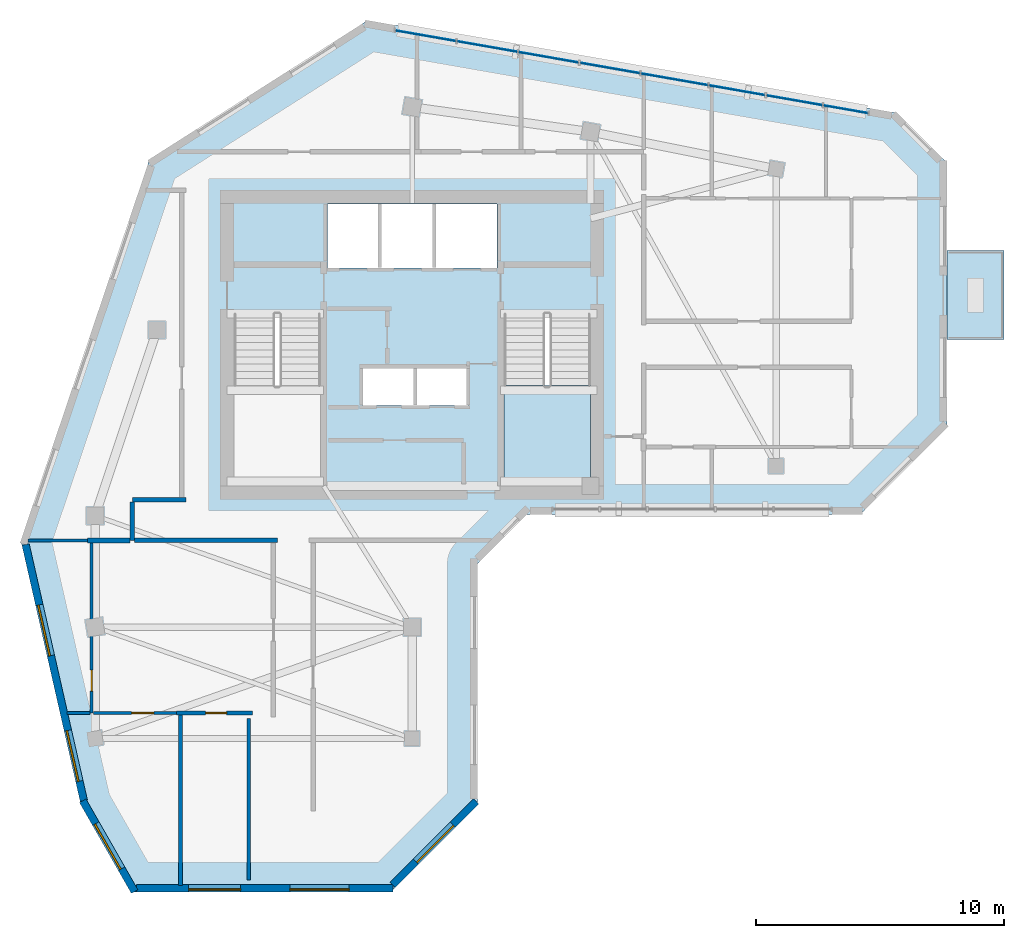
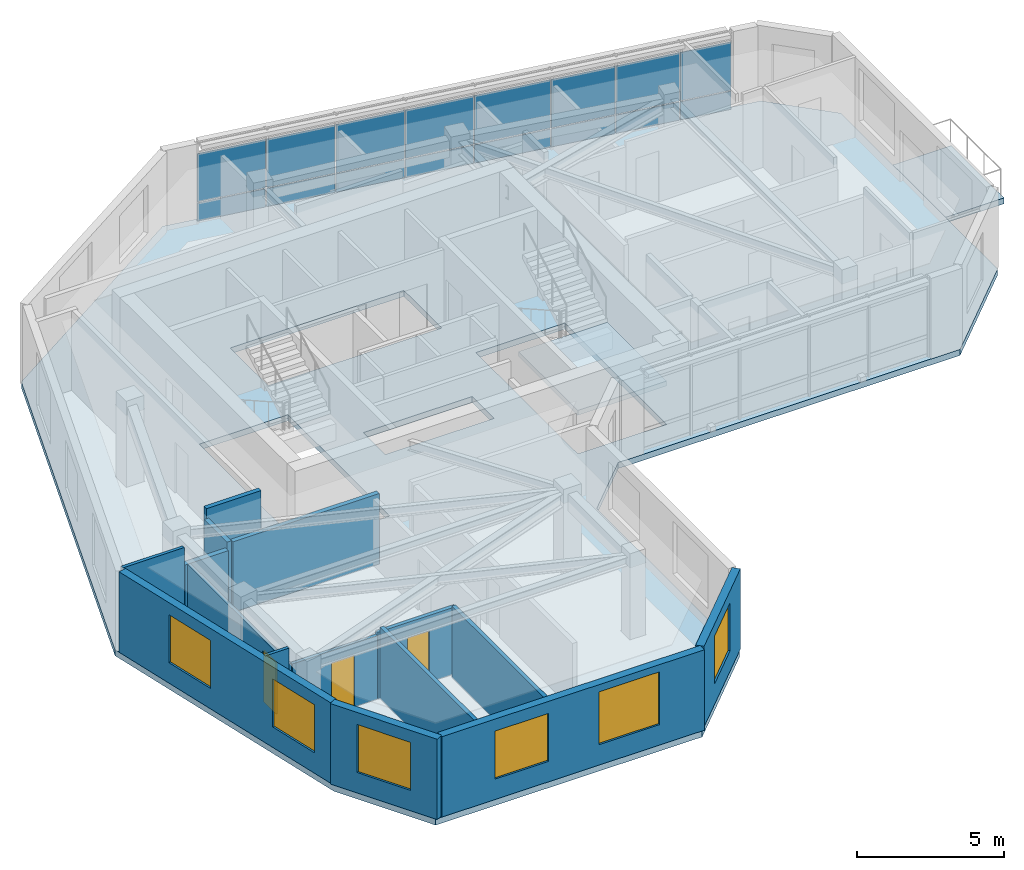
# One storey, part 3 of 9: 16 plates, 15 walls, 6 windows, 3 doors, 3 slabs, 9 openings, 2 elements without a shape of their own.
"""IFC4 building model written with IfcOpenShell, lengths in metres."""

from ifc_helpers import new_model, si_unit, direction, frame, frame_2d, origin, place, context, subcontext, project, spatial, polyline, rectangle, outline, extrude, source, transform, mapped, material, layer, layer_set, type_object, element, fill, aggregate, save


model = new_model("IFC4")

# Units and contexts
model_context = context("Model", 3, precision=1e-05, world=origin(), true_north=direction((0.0, 1.0)))
body_context = subcontext(model_context, "Body", "Model", "MODEL_VIEW")
ifc_project = project(units=[si_unit("LENGTHUNIT", "METRE"), si_unit("AREAUNIT", "SQUARE_METRE"), si_unit("VOLUMEUNIT", "CUBIC_METRE"), si_unit("PLANEANGLEUNIT", "RADIAN"), si_unit("MASSUNIT", "GRAM", prefix="KILO")], contexts=[model_context])

# Site, building, storey
site_placement = place(None, origin())
site = spatial("IfcSite", under=ifc_project, at=site_placement, CompositionType="ELEMENT")
building_placement = place(site_placement, origin())
building = spatial("IfcBuilding", under=site, at=building_placement, Name="Calvemar Wedge Station Tower", CompositionType="ELEMENT")
storey_placement = place(building_placement, frame((0.0, 0.0, 260.10009765625)))
storey = spatial("IfcBuildingStorey", under=building, at=storey_placement, Name="L66", CompositionType="ELEMENT", Elevation=260.10009765625)

# Curtain wall, plates
ifc_material_1 = material(Name="Anodised aluminium 6063-T6", Category="aluminium")
curtain_wall_type = type_object("IfcCurtainWallType", Name="CW4", PredefinedType="NOTDEFINED", material=ifc_material_1)
curtain_wall_placement = place(storey_placement, origin())
curtain_wall = element("IfcCurtainWall", 1, at=curtain_wall_placement, inside=storey, type_object=curtain_wall_type, Name="Storey L66 CW4 Recessed Unitised Curtain Wall 10", PredefinedType="NOTDEFINED")
ifc_material_2 = material(Name="Low-E laminated insulated glass", Category="glass")
ifc_layer_1 = layer(ifc_material_2, 0.028076171875)
ifc_layer_set_1 = layer_set([ifc_layer_1], Name="Low-E laminated insulated glass")
plate_type_1 = type_object("IfcPlateType", Name="CW4-GLZ", PredefinedType="CURTAIN_PANEL", material=ifc_layer_set_1)
plate_1_placement = place(storey_placement, frame((42.2158203125, 49.25, 0.869873046875), z_axis=(0.0, 0.0, 1.0), x_axis=(-0.985032723661, 0.172367436939, 0.0)))
plate_1 = element("IfcPlate", 2, at=plate_1_placement, type_object=plate_type_1, Name="CW4 vision glass panel 1", PredefinedType="CURTAIN_PANEL", context=body_context, shape_type="SweptSolid", body=[
    extrude(rectangle(XDim=1.837158203125, YDim=0.028076171875, at=frame_2d((0.91845703125, 0.0))), origin(), (0.0, 0.0, 1.0), 2.010009765625),
])
plate_2_placement = place(storey_placement, frame((40.370849609375, 49.57275390625, 0.869873046875), z_axis=(0.0, 0.0, 1.0), x_axis=(-0.985034958197, 0.172354666692, 0.0)))
plate_2 = element("IfcPlate", 3, at=plate_2_placement, type_object=plate_type_1, Name="CW4 vision glass panel 2", PredefinedType="CURTAIN_PANEL", context=body_context, shape_type="SweptSolid", body=[
    extrude(rectangle(XDim=2.307373046875, YDim=0.028076171875, at=frame_2d((1.15380859375, 0.0))), origin(), (0.0, 0.0, 1.0), 2.010009765625),
])
plate_3_placement = place(storey_placement, frame((38.0625, 49.976806640625, 0.869873046875), z_axis=(0.0, 0.0, 1.0), x_axis=(-0.985056054932, 0.17223405192, 0.0)))
plate_3 = element("IfcPlate", 4, at=plate_3_placement, type_object=plate_type_1, Name="CW4 vision glass panel 3", PredefinedType="CURTAIN_PANEL", context=body_context, shape_type="SweptSolid", body=[
    extrude(rectangle(XDim=2.3076171875, YDim=0.028076171875, at=frame_2d((1.15380859375, 0.0))), origin(), (0.0, 0.0, 1.0), 2.010009765625),
])
plate_4_placement = place(storey_placement, frame((35.75390625, 50.380615234375, 0.869873046875), z_axis=(0.0, 0.0, 1.0), x_axis=(-0.985042874859, 0.172309415559, 0.0)))
plate_4 = element("IfcPlate", 5, at=plate_4_placement, type_object=plate_type_1, Name="CW4 vision glass panel 4", PredefinedType="CURTAIN_PANEL", context=body_context, shape_type="SweptSolid", body=[
    extrude(rectangle(XDim=2.755859375, YDim=0.028076171875, at=frame_2d((1.3779296875, 0.0))), origin(), (0.0, 0.0, 1.0), 2.010009765625),
])
plate_5_placement = place(storey_placement, frame((33.00390625, 50.861572265625, 0.869873046875), z_axis=(0.0, 0.0, 1.0), x_axis=(-0.985043436117, 0.172306206978, 0.0)))
plate_5 = element("IfcPlate", 6, at=plate_5_placement, type_object=plate_type_1, Name="CW4 vision glass panel 5", PredefinedType="CURTAIN_PANEL", context=body_context, shape_type="SweptSolid", body=[
    extrude(rectangle(XDim=2.476806640625, YDim=0.028076171875, at=frame_2d((1.23828125, 0.0))), origin(), (0.0, 0.0, 1.0), 2.010009765625),
])
plate_6_placement = place(storey_placement, frame((30.52880859375, 51.294677734375, 0.869873046875), z_axis=(0.0, 0.0, 1.0), x_axis=(-0.985040509104, 0.172322939343, 0.0)))
plate_6 = element("IfcPlate", 7, at=plate_6_placement, type_object=plate_type_1, Name="CW4 vision glass panel 6", PredefinedType="CURTAIN_PANEL", context=body_context, shape_type="SweptSolid", body=[
    extrude(rectangle(XDim=2.4765625, YDim=0.028076171875, at=frame_2d((1.23828125, 0.0))), origin(), (0.0, 0.0, 1.0), 2.010009765625),
])
plate_7_placement = place(storey_placement, frame((28.053955078125, 51.7275390625, 0.869873046875), z_axis=(0.0, 0.0, 1.0), x_axis=(-0.985028799202, 0.172389862645, 0.0)))
plate_7 = element("IfcPlate", 8, at=plate_7_placement, type_object=plate_type_1, Name="CW4 vision glass panel 7", PredefinedType="CURTAIN_PANEL", context=body_context, shape_type="SweptSolid", body=[
    extrude(rectangle(XDim=2.4853515625, YDim=0.028076171875, at=frame_2d((1.24267578125, 0.0))), origin(), (0.0, 0.0, 1.0), 2.010009765625),
])
plate_8_placement = place(storey_placement, frame((25.5703125, 52.162109375, 0.869873046875), z_axis=(0.0, 0.0, 1.0), x_axis=(-0.985039641183, 0.172327900522, 0.0)))
plate_8 = element("IfcPlate", 9, at=plate_8_placement, type_object=plate_type_1, Name="CW4 vision glass panel 8", PredefinedType="CURTAIN_PANEL", context=body_context, shape_type="SweptSolid", body=[
    extrude(rectangle(XDim=2.48486328125, YDim=0.028076171875, at=frame_2d((1.242431640625, 0.0))), origin(), (0.0, 0.0, 1.0), 2.010009765625),
])
ifc_material_3 = material(Name="Oxidized bronze aluminium spandrel panel 5005-H24", Category="aluminium")
ifc_layer_2 = layer(ifc_material_3, 0.0400390625)
ifc_layer_set_2 = layer_set([ifc_layer_2], Name="Oxidized bronze aluminium spandrel panel 5005-H24")
plate_type_2 = type_object("IfcPlateType", Name="CW4-SPD", PredefinedType="SHEET", material=ifc_layer_set_2)
plate_9_placement = place(storey_placement, frame((42.2158203125, 49.25, 0.079833984375), z_axis=(0.0, 0.0, 1.0), x_axis=(-0.985032723661, 0.172367436939, 0.0)))
plate_9 = element("IfcPlate", 10, at=plate_9_placement, type_object=plate_type_2, Name="CW4 bronze spandrel panel 1", PredefinedType="SHEET", context=body_context, shape_type="SweptSolid", body=[
    extrude(rectangle(XDim=1.837158203125, YDim=0.0400390625, at=frame_2d((0.91845703125, 0.0))), origin(), (0.0, 0.0, 1.0), 0.75),
])
plate_10_placement = place(storey_placement, frame((40.370849609375, 49.57275390625, 0.079833984375), z_axis=(0.0, 0.0, 1.0), x_axis=(-0.985034958197, 0.172354666692, 0.0)))
plate_10 = element("IfcPlate", 11, at=plate_10_placement, type_object=plate_type_2, Name="CW4 bronze spandrel panel 2", PredefinedType="SHEET", context=body_context, shape_type="SweptSolid", body=[
    extrude(rectangle(XDim=2.307373046875, YDim=0.0400390625, at=frame_2d((1.15380859375, 0.0))), origin(), (0.0, 0.0, 1.0), 0.75),
])
plate_11_placement = place(storey_placement, frame((38.0625, 49.976806640625, 0.079833984375), z_axis=(0.0, 0.0, 1.0), x_axis=(-0.985056054932, 0.17223405192, 0.0)))
plate_11 = element("IfcPlate", 12, at=plate_11_placement, type_object=plate_type_2, Name="CW4 bronze spandrel panel 3", PredefinedType="SHEET", context=body_context, shape_type="SweptSolid", body=[
    extrude(rectangle(XDim=2.3076171875, YDim=0.0400390625, at=frame_2d((1.15380859375, 0.0))), origin(), (0.0, 0.0, 1.0), 0.75),
])
plate_12_placement = place(storey_placement, frame((35.75390625, 50.380615234375, 0.079833984375), z_axis=(0.0, 0.0, 1.0), x_axis=(-0.985042874859, 0.172309415559, 0.0)))
plate_12 = element("IfcPlate", 13, at=plate_12_placement, type_object=plate_type_2, Name="CW4 bronze spandrel panel 4", PredefinedType="SHEET", context=body_context, shape_type="SweptSolid", body=[
    extrude(rectangle(XDim=2.755859375, YDim=0.0400390625, at=frame_2d((1.3779296875, 0.0))), origin(), (0.0, 0.0, 1.0), 0.75),
])
plate_13_placement = place(storey_placement, frame((33.00390625, 50.861572265625, 0.079833984375), z_axis=(0.0, 0.0, 1.0), x_axis=(-0.985043436117, 0.172306206978, 0.0)))
plate_13 = element("IfcPlate", 14, at=plate_13_placement, type_object=plate_type_2, Name="CW4 bronze spandrel panel 5", PredefinedType="SHEET", context=body_context, shape_type="SweptSolid", body=[
    extrude(rectangle(XDim=2.476806640625, YDim=0.0400390625, at=frame_2d((1.23828125, 0.0))), origin(), (0.0, 0.0, 1.0), 0.75),
])
plate_14_placement = place(storey_placement, frame((30.52880859375, 51.294677734375, 0.079833984375), z_axis=(0.0, 0.0, 1.0), x_axis=(-0.985040509104, 0.172322939343, 0.0)))
plate_14 = element("IfcPlate", 15, at=plate_14_placement, type_object=plate_type_2, Name="CW4 bronze spandrel panel 6", PredefinedType="SHEET", context=body_context, shape_type="SweptSolid", body=[
    extrude(rectangle(XDim=2.4765625, YDim=0.0400390625, at=frame_2d((1.23828125, 0.0))), origin(), (0.0, 0.0, 1.0), 0.75),
])
plate_15_placement = place(storey_placement, frame((28.053955078125, 51.7275390625, 0.079833984375), z_axis=(0.0, 0.0, 1.0), x_axis=(-0.985028799202, 0.172389862645, 0.0)))
plate_15 = element("IfcPlate", 16, at=plate_15_placement, type_object=plate_type_2, Name="CW4 bronze spandrel panel 7", PredefinedType="SHEET", context=body_context, shape_type="SweptSolid", body=[
    extrude(rectangle(XDim=2.4853515625, YDim=0.0400390625, at=frame_2d((1.24267578125, 0.0))), origin(), (0.0, 0.0, 1.0), 0.75),
])
plate_16_placement = place(storey_placement, frame((25.5703125, 52.162109375, 0.079833984375), z_axis=(0.0, 0.0, 1.0), x_axis=(-0.985039641183, 0.172327900522, 0.0)))
plate_16 = element("IfcPlate", 17, at=plate_16_placement, type_object=plate_type_2, Name="CW4 bronze spandrel panel 8", PredefinedType="SHEET", context=body_context, shape_type="SweptSolid", body=[
    extrude(rectangle(XDim=2.48486328125, YDim=0.0400390625, at=frame_2d((1.242431640625, 0.0))), origin(), (0.0, 0.0, 1.0), 0.75),
])
aggregate(curtain_wall, [plate_9, plate_1, plate_10, plate_2, plate_11, plate_3, plate_12, plate_4, plate_13, plate_5, plate_14, plate_6, plate_15, plate_7, plate_16, plate_8])

# Stair, slab
ifc_material_4 = material(Name="Concrete C45", Category="concrete")
stair_type = type_object("IfcStairType", Name="ST-TYPE-3600", PredefinedType="HALF_TURN_STAIR", material=ifc_material_4)
stair_placement = place(storey_placement, origin())
stair = element("IfcStair", 18, at=stair_placement, inside=storey, type_object=stair_type, Name="L66 Pressurized Core Exit Stair ST-C2", PredefinedType="HALF_TURN_STAIR")
ifc_layer_3 = layer(ifc_material_4, 0.199951171875)
ifc_layer_set_3 = layer_set([ifc_layer_3], Name="Concrete C45")
slab_type_1 = type_object("IfcSlabType", Name="SL-STAIR-LND-200", PredefinedType="LANDING", material=ifc_layer_set_3)
slab_1_placement = place(storey_placement, frame((0.0, 0.0, 1.599853515625)))
slab_1 = element("IfcSlab", 19, at=slab_1_placement, type_object=slab_type_1, Name="ST-C2 landing 1", PredefinedType="LANDING", context=body_context, shape_type="SweptSolid", body=[
    extrude(outline(polyline([(27.5, 38.25), (27.5, 34.199951171875), (31.0, 34.199951171875), (31.0, 38.25), (27.5, 38.25)])), origin(), (0.0, 0.0, 1.0), 0.199951171875),
])
aggregate(stair, [slab_1])

# Slabs
ifc_layer_4 = layer(ifc_material_4, 0.239990234375)
ifc_layer_set_4 = layer_set([ifc_layer_4], Name="Concrete C45")
slab_type_2 = type_object("IfcSlabType", Name="SL-TERR-240", PredefinedType="FLOOR", material=ifc_layer_set_4)
slab_2_placement = place(storey_placement, frame((0.0, 0.0, -0.239990234375)))
element("IfcSlab", 20, at=slab_2_placement, inside=storey, type_object=slab_type_2, Name="Storey L66 Planted Spiral Terrace Slab", PredefinedType="FLOOR", context=body_context, shape_type="SweptSolid", body=[
    extrude(outline(polyline([(45.39990234375, 40.10595703125), (47.699951171875, 40.10595703125), (47.699951171875, 43.7060546875), (45.39990234375, 43.7060546875), (45.39990234375, 40.10595703125)])), origin(), (0.0, 0.0, 1.0), 0.239990234375),
])
ifc_material_5 = material(Name="Concrete C50", Category="concrete")
ifc_layer_5 = layer(ifc_material_5, 0.25)
ifc_layer_set_5 = layer_set([ifc_layer_5], Name="Concrete C50")
slab_type_3 = type_object("IfcSlabType", Name="SL-TYP-250", PredefinedType="FLOOR", material=ifc_layer_set_5)
slab_3_placement = place(storey_placement, frame((0.0, 0.0, -0.25)))
element("IfcSlab", 21, at=slab_3_placement, inside=storey, type_object=slab_type_3, Name="Storey L66 Structural Floor Slab", PredefinedType="FLOOR", context=body_context, shape_type="SweptSolid", body=[
    extrude(outline(polyline([(8.0, 32.0), (10.431884765625, 21.300048828125), (12.431884765625, 17.800048828125), (22.931884765625, 17.800048828125), (26.431884765625, 21.300048828125), (26.431884765625, 31.055908203125), (28.431884765625, 33.055908203125), (41.89990234375, 33.055908203125), (45.39990234375, 36.555908203125), (45.39990234375, 47.256103515625), (43.39990234375, 49.256103515625), (22.0, 53.0), (13.199951171875, 47.39990234375), (8.0, 32.0)]), holes=[polyline([(20.10009765625, 34.199951171875), (20.10009765625, 41.14990234375), (16.60009765625, 41.14990234375), (16.60009765625, 34.199951171875), (20.10009765625, 34.199951171875)]), polyline([(31.0, 34.199951171875), (31.0, 41.14990234375), (27.5, 41.14990234375), (27.5, 34.199951171875), (31.0, 34.199951171875)]), polyline([(23.929931640625, 38.949951171875), (21.7900390625, 38.949951171875), (21.7900390625, 37.449951171875), (23.929931640625, 37.449951171875), (23.93994140625, 37.449951171875), (26.080078125, 37.449951171875), (26.080078125, 38.949951171875), (23.93994140625, 38.949951171875), (23.929931640625, 38.949951171875)]), polyline([(27.219970703125, 43.0), (27.219970703125, 45.580078125), (20.3798828125, 45.580078125), (20.3798828125, 43.0), (27.219970703125, 43.0)])]), origin(), (0.0, 0.0, 1.0), 0.25),
])

# Walls
ifc_material_6 = material(Name="Double-stud fire-rated corridor partition")
ifc_layer_6 = layer(ifc_material_6, 0.179931640625)
ifc_layer_set_6 = layer_set([ifc_layer_6], Name="Double-stud fire-rated corridor partition")
wall_type_1 = type_object("IfcWallType", Name="W-CORR-180", PredefinedType="PARTITIONING", material=ifc_layer_set_6)
wall_1_placement = place(storey_placement, frame((12.5, 33.64990234375, 0.0), z_axis=(0.0, 0.0, 1.0), x_axis=(1.0, 0.0, 0.0)))
element("IfcWall", 22, at=wall_1_placement, inside=storey, type_object=wall_type_1, Name="Storey L66 Interior Partition WL-L66-007", PredefinedType="PARTITIONING", context=body_context, shape_type="SweptSolid", body=[
    extrude(rectangle(XDim=2.159912109375, YDim=0.179931640625, at=frame_2d((1.080078125, 0.0))), origin(), (0.0, 0.0, 1.0), 3.349853515625),
])
wall_2_placement = place(storey_placement, frame((12.5, 32.0, 0.0), z_axis=(0.0, 0.0, 1.0), x_axis=(0.0, 1.0, 0.0)))
element("IfcWall", 23, at=wall_2_placement, inside=storey, type_object=wall_type_1, Name="Storey L66 Interior Partition WL-L66-008", PredefinedType="PARTITIONING", context=body_context, shape_type="SweptSolid", body=[
    extrude(rectangle(XDim=1.555908203125, YDim=0.179931640625, at=frame_2d((0.77783203125, 0.0))), origin(), (0.0, 0.0, 1.0), 2.934814453125),
])
wall_3_placement = place(storey_placement, frame((18.360107421875, 32.0, 0.0), z_axis=(0.0, 0.0, 1.0), x_axis=(-1.0, 0.0, 0.0)))
element("IfcWall", 24, at=wall_3_placement, inside=storey, type_object=wall_type_1, Name="Storey L66 Interior Partition WL-L66-010", PredefinedType="PARTITIONING", context=body_context, shape_type="SweptSolid", body=[
    extrude(rectangle(XDim=5.76611328125, YDim=0.179931640625, at=frame_2d((2.883056640625, 0.0))), origin(), (0.0, 0.0, 1.0), 2.934814453125),
])
ifc_material_7 = material(Name="Twin-stud fire-rated inter-tenancy wall")
ifc_layer_7 = layer(ifc_material_7, 0.199951171875)
ifc_layer_set_7 = layer_set([ifc_layer_7], Name="Twin-stud fire-rated inter-tenancy wall")
wall_type_2 = type_object("IfcWallType", Name="W-DEMISE-200", PredefinedType="PARTITIONING", material=ifc_layer_set_7)
wall_4_placement = place(storey_placement, frame((12.406005859375, 32.0, 0.0), z_axis=(0.0, 0.0, 1.0), x_axis=(-1.0, 0.0, 0.0)))
element("IfcWall", 25, at=wall_4_placement, inside=storey, type_object=wall_type_2, Name="Storey L66 Interior Partition WL-L66-021", PredefinedType="PARTITIONING", context=body_context, shape_type="SweptSolid", body=[
    extrude(rectangle(XDim=1.7080078125, YDim=0.199951171875, at=frame_2d((0.85400390625, 0.0))), origin(), (0.0, 0.0, 1.0), 2.641845703125),
])

# Wall, opening, window
ifc_material_8 = material(Name="Precast concrete C45", Category="concrete")
ifc_layer_8 = layer(ifc_material_8, 0.300048828125)
ifc_layer_set_8 = layer_set([ifc_layer_8], Name="Precast concrete C45")
wall_type_3 = type_object("IfcWallType", Name="W-EXT-GFRC-300", PredefinedType="SOLIDWALL", material=ifc_layer_set_8)
wall_5_placement = place(storey_placement, frame((10.498779296875, 21.4853515625, 0.0), z_axis=(0.0, 0.0, 1.0), x_axis=(0.496163848656, -0.868228907194, 0.0)))
wall_5 = element("IfcWall", 26, at=wall_5_placement, inside=storey, type_object=wall_type_3, Name="Storey L66 Bronze GFRC Exterior Wall 1", PredefinedType="SOLIDWALL", context=body_context, shape_type="SweptSolid", body=[
    extrude(rectangle(XDim=4.221923828125, YDim=0.300048828125, at=frame_2d((2.11083984375, 0.0))), origin(), (0.0, 0.0, 1.0), 3.349853515625),
])
shared_shape_1 = source(origin(), body_context, "Body", "SweptSolid", [
    extrude(rectangle(XDim=2.10009765625, YDim=2.0, at=frame_2d((1.050048828125, 1.0))), frame((0.0, 0.16015625, 0.0), z_axis=(0.0, -1.0, 0.0), x_axis=(1.0, 0.0, 0.0)), (0.0, 0.0, 1.0), 0.320068359375),
])
opening_1_placement = place(wall_5_placement, frame((1.06103515625, 0.0, 0.85009765625)))
opening_1 = element("IfcOpeningElement", 27, at=opening_1_placement, cuts=wall_5, Name="Opening W4", PredefinedType="OPENING", context=body_context, shape_type="MappedRepresentation", body=[
    mapped(shared_shape_1, transform((0.0, 0.0, 0.0), scale=1.0)),
])
window_type_1 = type_object("IfcWindowType", Name="WIN-EXT-4", PartitioningType="SINGLE_PANEL", PredefinedType="WINDOW", material=ifc_material_2)
shared_shape_2 = source(origin(), body_context, "Body", "SweptSolid", [
    extrude(rectangle(XDim=2.10009765625, YDim=2.0, at=frame_2d((1.050048828125, 1.0))), frame((0.0, -0.014892578125, 0.0), z_axis=(0.0, -1.0, 0.0), x_axis=(1.0, 0.0, 0.0)), (0.0, 0.0, 1.0), 0.06005859375),
])
window_1_placement = place(opening_1_placement, origin())
window_1 = element("IfcWindow", 28, at=window_1_placement, inside=storey, type_object=window_type_1, Name="Storey L66 Recessed Window 1.1", OverallHeight=2.0, OverallWidth=2.10009765625, PartitioningType="SINGLE_PANEL", PredefinedType="WINDOW", context=body_context, shape_type="MappedRepresentation", body=[
    mapped(shared_shape_2, transform((0.0, 0.0, 0.0), scale=1.0)),
])
fill(opening_1, window_1)

# Wall, openings, windows
wall_6_placement = place(storey_placement, frame((12.677978515625, 17.949951171875, 0.0), z_axis=(0.0, 0.0, 1.0), x_axis=(1.0, 0.0, 0.0)))
wall_6 = element("IfcWall", 29, at=wall_6_placement, inside=storey, type_object=wall_type_3, Name="Storey L66 Bronze GFRC Exterior Wall 2", PredefinedType="SOLIDWALL", context=body_context, shape_type="SweptSolid", body=[
    extrude(rectangle(XDim=10.342041015625, YDim=0.300048828125, at=frame_2d((5.1708984375, 0.0))), origin(), (0.0, 0.0, 1.0), 3.349853515625),
])
opening_2_placement = place(wall_6_placement, frame((2.096923828125, 0.0, 0.85009765625)))
opening_2 = element("IfcOpeningElement", 30, at=opening_2_placement, cuts=wall_6, Name="Opening W4", PredefinedType="OPENING", context=body_context, shape_type="MappedRepresentation", body=[
    mapped(shared_shape_1, transform((0.0, 0.0, 0.0), scale=1.0)),
])
shared_shape_3 = source(origin(), body_context, "Body", "SweptSolid", [
    extrude(rectangle(XDim=2.39990234375, YDim=2.199951171875, at=frame_2d((1.199951171875, 1.10009765625))), frame((0.0, 0.16015625, 0.0), z_axis=(0.0, -1.0, 0.0), x_axis=(1.0, 0.0, 0.0)), (0.0, 0.0, 1.0), 0.320068359375),
])
opening_3_placement = place(wall_6_placement, frame((6.181884765625, 0.0, 0.85009765625)))
opening_3 = element("IfcOpeningElement", 31, at=opening_3_placement, cuts=wall_6, Name="Opening W1", PredefinedType="OPENING", context=body_context, shape_type="MappedRepresentation", body=[
    mapped(shared_shape_3, transform((0.0, 0.0, 0.0), scale=1.0)),
])
window_2_placement = place(opening_2_placement, origin())
window_2 = element("IfcWindow", 32, at=window_2_placement, inside=storey, type_object=window_type_1, Name="Storey L66 Recessed Window 2.1", OverallHeight=2.0, OverallWidth=2.10009765625, PartitioningType="SINGLE_PANEL", PredefinedType="WINDOW", context=body_context, shape_type="MappedRepresentation", body=[
    mapped(shared_shape_2, transform((0.0, 0.0, 0.0), scale=1.0)),
])
fill(opening_2, window_2)
window_type_2 = type_object("IfcWindowType", Name="WIN-EXT-1", PartitioningType="SINGLE_PANEL", PredefinedType="WINDOW", material=ifc_material_2)
shared_shape_4 = source(origin(), body_context, "Body", "SweptSolid", [
    extrude(rectangle(XDim=2.39990234375, YDim=2.199951171875, at=frame_2d((1.199951171875, 1.10009765625))), frame((0.0, -0.014892578125, 0.0), z_axis=(0.0, -1.0, 0.0), x_axis=(1.0, 0.0, 0.0)), (0.0, 0.0, 1.0), 0.06005859375),
])
window_3_placement = place(opening_3_placement, origin())
window_3 = element("IfcWindow", 33, at=window_3_placement, inside=storey, type_object=window_type_2, Name="Storey L66 Recessed Window 2.2", OverallHeight=2.199951171875, OverallWidth=2.39990234375, PartitioningType="SINGLE_PANEL", PredefinedType="WINDOW", context=body_context, shape_type="MappedRepresentation", body=[
    mapped(shared_shape_4, transform((0.0, 0.0, 0.0), scale=1.0)),
])
fill(opening_3, window_3)

# Wall, opening, window
wall_7_placement = place(storey_placement, frame((23.0078125, 18.087890625, 0.0), z_axis=(0.0, 0.0, 1.0), x_axis=(0.707106781187, 0.707106781187, 0.0)))
wall_7 = element("IfcWall", 34, at=wall_7_placement, inside=storey, type_object=wall_type_3, Name="Storey L66 Bronze GFRC Exterior Wall 3", PredefinedType="SOLIDWALL", context=body_context, shape_type="SweptSolid", body=[
    extrude(rectangle(XDim=4.780517578125, YDim=0.300048828125, at=frame_2d((2.39013671875, 0.0))), origin(), (0.0, 0.0, 1.0), 3.349853515625),
])
opening_4_placement = place(wall_7_placement, frame((1.340087890625, 0.0, 0.85009765625)))
opening_4 = element("IfcOpeningElement", 35, at=opening_4_placement, cuts=wall_7, Name="Opening W4", PredefinedType="OPENING", context=body_context, shape_type="MappedRepresentation", body=[
    mapped(shared_shape_1, transform((0.0, 0.0, 0.0), scale=1.0)),
])
window_4_placement = place(opening_4_placement, origin())
window_4 = element("IfcWindow", 36, at=window_4_placement, inside=storey, type_object=window_type_1, Name="Storey L66 Recessed Window 3.1", OverallHeight=2.0, OverallWidth=2.10009765625, PartitioningType="SINGLE_PANEL", PredefinedType="WINDOW", context=body_context, shape_type="MappedRepresentation", body=[
    mapped(shared_shape_2, transform((0.0, 0.0, 0.0), scale=1.0)),
])
fill(opening_4, window_4)

# Wall, openings, windows
wall_8_placement = place(storey_placement, frame((8.19140625, 31.834228515625, 0.0), z_axis=(0.0, 0.0, 1.0), x_axis=(0.221636032737, -0.975129462683, 0.0)))
wall_8 = element("IfcWall", 37, at=wall_8_placement, inside=storey, type_object=wall_type_3, Name="Storey L66 Bronze GFRC Exterior Wall 13", PredefinedType="SOLIDWALL", context=body_context, shape_type="SweptSolid", body=[
    extrude(rectangle(XDim=10.602294921875, YDim=0.300048828125, at=frame_2d((5.30126953125, 0.0))), origin(), (0.0, 0.0, 1.0), 3.349853515625),
])
opening_5_placement = place(wall_8_placement, frame((2.5009765625, 0.0, 0.85009765625)))
opening_5 = element("IfcOpeningElement", 38, at=opening_5_placement, cuts=wall_8, Name="Opening W4", PredefinedType="OPENING", context=body_context, shape_type="MappedRepresentation", body=[
    mapped(shared_shape_1, transform((0.0, 0.0, 0.0), scale=1.0)),
])
opening_6_placement = place(wall_8_placement, frame((7.701904296875, 0.0, 0.85009765625)))
opening_6 = element("IfcOpeningElement", 39, at=opening_6_placement, cuts=wall_8, Name="Opening W4", PredefinedType="OPENING", context=body_context, shape_type="MappedRepresentation", body=[
    mapped(shared_shape_1, transform((0.0, 0.0, 0.0), scale=1.0)),
])
window_5_placement = place(opening_5_placement, origin())
window_5 = element("IfcWindow", 40, at=window_5_placement, inside=storey, type_object=window_type_1, Name="Storey L66 Recessed Window 13.1", OverallHeight=2.0, OverallWidth=2.10009765625, PartitioningType="SINGLE_PANEL", PredefinedType="WINDOW", context=body_context, shape_type="MappedRepresentation", body=[
    mapped(shared_shape_2, transform((0.0, 0.0, 0.0), scale=1.0)),
])
fill(opening_5, window_5)
window_6_placement = place(opening_6_placement, origin())
window_6 = element("IfcWindow", 41, at=window_6_placement, inside=storey, type_object=window_type_1, Name="Storey L66 Recessed Window 13.2", OverallHeight=2.0, OverallWidth=2.10009765625, PartitioningType="SINGLE_PANEL", PredefinedType="WINDOW", context=body_context, shape_type="MappedRepresentation", body=[
    mapped(shared_shape_2, transform((0.0, 0.0, 0.0), scale=1.0)),
])
fill(opening_6, window_6)

# Wall
ifc_material_9 = material(Name="Insulated acoustic gypsum stud partition")
ifc_layer_9 = layer(ifc_material_9, 0.125)
ifc_layer_set_9 = layer_set([ifc_layer_9], Name="Insulated acoustic gypsum stud partition")
wall_type_4 = type_object("IfcWallType", Name="W-PART-125", PredefinedType="PARTITIONING", material=ifc_layer_set_9)
wall_9_placement = place(storey_placement, frame((10.696044921875, 32.0, 0.0), z_axis=(0.0, 0.0, 1.0), x_axis=(-1.0, 0.0, 0.0)))
element("IfcWall", 42, at=wall_9_placement, inside=storey, type_object=wall_type_4, Name="Storey L66 Interior Partition WL-L66-022", PredefinedType="PARTITIONING", context=body_context, shape_type="SweptSolid", body=[
    extrude(rectangle(XDim=2.416259765625, YDim=0.125, at=frame_2d((1.2080078125, 0.0))), origin(), (0.0, 0.0, 1.0), 3.349853515625),
])

# Wall, opening, door
wall_10_placement = place(storey_placement, frame((10.85791015625, 25.031982421875, 0.0), z_axis=(0.0, 0.0, 1.0), x_axis=(0.0, 1.0, 0.0)))
wall_10 = element("IfcWall", 43, at=wall_10_placement, inside=storey, type_object=wall_type_4, Name="Storey L66 Interior Partition WL-L66-044", PredefinedType="PARTITIONING", context=body_context, shape_type="SweptSolid", body=[
    extrude(rectangle(XDim=6.864013671875, YDim=0.125, at=frame_2d((3.43212890625, 0.0))), origin(), (0.0, 0.0, 1.0), 2.641845703125),
])
shared_shape_5 = source(origin(), body_context, "Body", "SweptSolid", [
    extrude(rectangle(XDim=0.85009765625, YDim=2.14990234375, at=frame_2d((0.425048828125, 1.074951171875))), frame((0.0, 0.072509765625, 0.0), z_axis=(0.0, -1.0, 0.0), x_axis=(1.0, 0.0, 0.0)), (0.0, 0.0, 1.0), 0.14501953125),
])
opening_7_placement = place(wall_10_placement, frame((0.885986328125, 0.0, 0.0)))
opening_7 = element("IfcOpeningElement", 44, at=opening_7_placement, cuts=wall_10, Name="Opening D-02", PredefinedType="OPENING", context=body_context, shape_type="MappedRepresentation", body=[
    mapped(shared_shape_5, transform((0.0, 0.0, 0.0), scale=1.0)),
])
ifc_material_10 = material(Name="Moisture-sealed bathroom hardwood swing door", Category="wood")
door_type_1 = type_object("IfcDoorType", Name="DR-WET-850", OperationType="NOTDEFINED", PredefinedType="DOOR", material=ifc_material_10)
shared_shape_6 = source(origin(), body_context, "Body", "SweptSolid", [
    extrude(rectangle(XDim=0.85009765625, YDim=2.14990234375, at=frame_2d((0.425048828125, 1.074951171875))), frame((0.0, 0.02490234375, 0.0), z_axis=(0.0, -1.0, 0.0), x_axis=(1.0, 0.0, 0.0)), (0.0, 0.0, 1.0), 0.050048828125),
])
door_1_placement = place(opening_7_placement, origin())
door_1 = element("IfcDoor", 45, at=door_1_placement, inside=storey, type_object=door_type_1, Name="L66 Kitchen Door", OperationType="SINGLE_SWING_RIGHT", OverallHeight=2.14990234375, OverallWidth=0.85009765625, PredefinedType="DOOR", context=body_context, shape_type="MappedRepresentation", body=[
    mapped(shared_shape_6, transform((0.0, 0.0, 0.0), scale=1.0)),
])
fill(opening_7, door_1)

wall_11_placement = place(storey_placement, frame((14.2880859375, 25.031982421875, 0.0), z_axis=(0.0, 0.0, 1.0), x_axis=(-1.0, 0.0, 0.0)))
wall_11 = element("IfcWall", 46, at=wall_11_placement, inside=storey, type_object=wall_type_4, Name="Storey L66 Interior Partition WL-L66-046", PredefinedType="PARTITIONING", context=body_context, shape_type="SweptSolid", body=[
    extrude(rectangle(XDim=3.363525390625, YDim=0.125, at=frame_2d((1.681640625, 0.0))), origin(), (0.0, 0.0, 1.0), 2.641845703125),
])
shared_shape_7 = source(origin(), body_context, "Body", "SweptSolid", [
    extrude(rectangle(XDim=0.89990234375, YDim=2.14990234375, at=frame_2d((0.449951171875, 1.074951171875))), frame((0.0, 0.072509765625, 0.0), z_axis=(0.0, -1.0, 0.0), x_axis=(1.0, 0.0, 0.0)), (0.0, 0.0, 1.0), 0.14501953125),
])
opening_8_placement = place(wall_11_placement, frame((0.91455078125, 0.0, 0.0)))
opening_8 = element("IfcOpeningElement", 47, at=opening_8_placement, cuts=wall_11, Name="Opening D-01", PredefinedType="OPENING", context=body_context, shape_type="MappedRepresentation", body=[
    mapped(shared_shape_7, transform((0.0, 0.0, 0.0), scale=1.0)),
])
ifc_material_11 = material(Name="Architectural hardwood acoustic swing door", Category="wood")
door_type_2 = type_object("IfcDoorType", Name="DR-INT-900", OperationType="NOTDEFINED", PredefinedType="DOOR", material=ifc_material_11)
shared_shape_8 = source(origin(), body_context, "Body", "SweptSolid", [
    extrude(rectangle(XDim=0.89990234375, YDim=2.14990234375, at=frame_2d((0.449951171875, 1.074951171875))), frame((0.0, 0.02490234375, 0.0), z_axis=(0.0, -1.0, 0.0), x_axis=(1.0, 0.0, 0.0)), (0.0, 0.0, 1.0), 0.050048828125),
])
door_2_placement = place(opening_8_placement, origin())
door_2 = element("IfcDoor", 48, at=door_2_placement, inside=storey, type_object=door_type_2, Name="L66 Bedroom Door", OperationType="SINGLE_SWING_RIGHT", OverallHeight=2.14990234375, OverallWidth=0.89990234375, PredefinedType="DOOR", context=body_context, shape_type="MappedRepresentation", body=[
    mapped(shared_shape_8, transform((0.0, 0.0, 0.0), scale=1.0)),
])
fill(opening_8, door_2)

# Wall
wall_12_placement = place(storey_placement, frame((10.79150390625, 25.031982421875, 0.0), z_axis=(0.0, 0.0, 1.0), x_axis=(-1.0, 0.0, 0.0)))
element("IfcWall", 49, at=wall_12_placement, inside=storey, type_object=wall_type_4, Name="Storey L66 Interior Partition WL-L66-047", PredefinedType="PARTITIONING", context=body_context, shape_type="SweptSolid", body=[
    extrude(rectangle(XDim=0.93603515625, YDim=0.125, at=frame_2d((0.468017578125, 0.0))), origin(), (0.0, 0.0, 1.0), 3.349853515625),
])

# Wall, opening, door
ifc_material_12 = material(Name="Moisture-resistant acoustic bathroom partition")
ifc_layer_10 = layer(ifc_material_12, 0.14990234375)
ifc_layer_set_10 = layer_set([ifc_layer_10], Name="Moisture-resistant acoustic bathroom partition")
wall_type_5 = type_object("IfcWallType", Name="W-WET-150", PredefinedType="PARTITIONING", material=ifc_layer_set_10)
wall_13_placement = place(storey_placement, frame((17.360107421875, 25.031982421875, 0.0), z_axis=(0.0, 0.0, 1.0), x_axis=(-1.0, 0.0, 0.0)))
wall_13 = element("IfcWall", 50, at=wall_13_placement, inside=storey, type_object=wall_type_5, Name="Storey L66 Interior Partition WL-L66-045", PredefinedType="PARTITIONING", context=body_context, shape_type="SweptSolid", body=[
    extrude(rectangle(XDim=3.070068359375, YDim=0.14990234375, at=frame_2d((1.53515625, 0.0))), origin(), (0.0, 0.0, 1.0), 2.787841796875),
])
shared_shape_9 = source(origin(), body_context, "Body", "SweptSolid", [
    extrude(rectangle(XDim=0.85009765625, YDim=2.14990234375, at=frame_2d((0.425048828125, 1.074951171875))), frame((0.0, 0.0849609375, 0.0), z_axis=(0.0, -1.0, 0.0), x_axis=(1.0, 0.0, 0.0)), (0.0, 0.0, 1.0), 0.169921875),
])
opening_9_placement = place(wall_13_placement, frame((1.046142578125, 0.0, 0.0)))
opening_9 = element("IfcOpeningElement", 51, at=opening_9_placement, cuts=wall_13, Name="Opening D-02", PredefinedType="OPENING", context=body_context, shape_type="MappedRepresentation", body=[
    mapped(shared_shape_9, transform((0.0, 0.0, 0.0), scale=1.0)),
])
door_3_placement = place(opening_9_placement, origin())
door_3 = element("IfcDoor", 52, at=door_3_placement, inside=storey, type_object=door_type_1, Name="L66 Bathroom Door", OperationType="SINGLE_SWING_LEFT", OverallHeight=2.14990234375, OverallWidth=0.85009765625, PredefinedType="DOOR", context=body_context, shape_type="MappedRepresentation", body=[
    mapped(shared_shape_6, transform((0.0, 0.0, 0.0), scale=1.0)),
])
fill(opening_9, door_3)

# Walls
wall_14_placement = place(storey_placement, frame((14.449951171875, 18.06494140625, 0.0), z_axis=(0.0, 0.0, 1.0), x_axis=(0.0, 1.0, 0.0)))
element("IfcWall", 53, at=wall_14_placement, inside=storey, type_object=wall_type_5, Name="Storey L66 Interior Partition WL-L66-048", PredefinedType="PARTITIONING", context=body_context, shape_type="SweptSolid", body=[
    extrude(rectangle(XDim=6.887939453125, YDim=0.14990234375, at=frame_2d((3.44384765625, 0.0))), origin(), (0.0, 0.0, 1.0), 2.97900390625),
])
wall_15_placement = place(storey_placement, frame((17.199951171875, 24.81201171875, 0.0), z_axis=(0.0, 0.0, 1.0), x_axis=(0.0, -1.0, 0.0)))
element("IfcWall", 54, at=wall_15_placement, inside=storey, type_object=wall_type_5, Name="Storey L66 Bathroom Enclosure Wall WL-L66-049", PredefinedType="PARTITIONING", context=body_context, shape_type="SweptSolid", body=[
    extrude(rectangle(XDim=6.527099609375, YDim=0.14990234375, at=frame_2d((3.263671875, 0.0))), origin(), (0.0, 0.0, 1.0), 2.97900390625),
])

save(model, "model.ifc")
